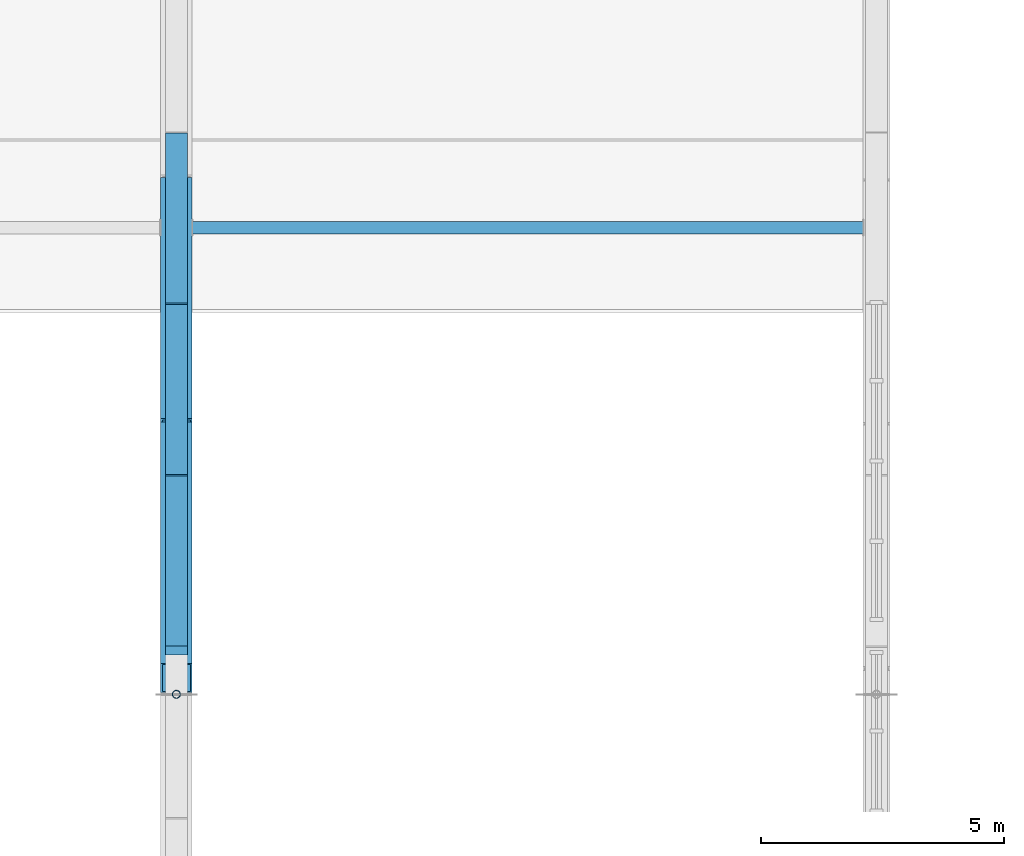
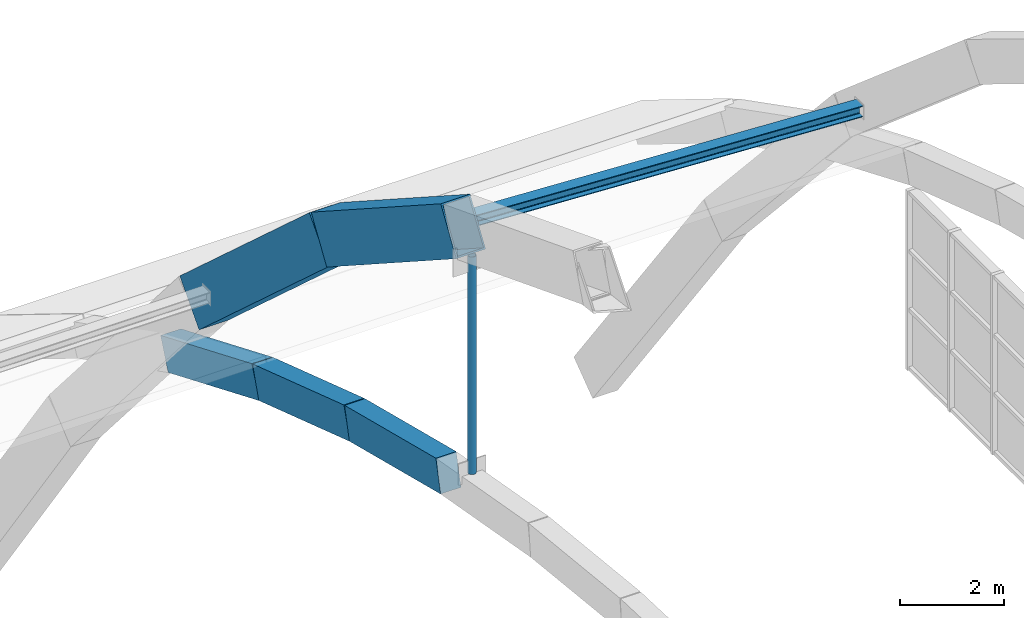
# One storey, part 27 of 64: 4 members, 3 beams.
"""IFC4 building model written with IfcOpenShell, lengths in metres."""

from ifc_helpers import new_model, si_unit, direction, frame, origin, origin_2d, place, context, subcontext, project, spatial, rectangle, hollow_rectangle, hollow_circle, i_section, extrude, material, material_profile, profile_set, type_object, element, save


model = new_model("IFC4")

# Units and contexts
model_context = context("Model", 3, precision=1e-05, world=origin(), true_north=direction((0.0, 1.0)))
body_context = subcontext(model_context, "Body", "Model", "MODEL_VIEW")
ifc_project = project(units=[si_unit("LENGTHUNIT", "METRE"), si_unit("AREAUNIT", "SQUARE_METRE"), si_unit("VOLUMEUNIT", "CUBIC_METRE"), si_unit("PLANEANGLEUNIT", "RADIAN"), si_unit("MASSUNIT", "GRAM", prefix="KILO")], contexts=[model_context])

# Site, building, storey
site_placement = place(None, origin())
site = spatial("IfcSite", under=ifc_project, at=site_placement, CompositionType="ELEMENT")
building_placement = place(site_placement, origin())
building = spatial("IfcBuilding", under=site, at=building_placement, Name="Leyfeld Transit Interchange", CompositionType="ELEMENT")
storey_placement = place(building_placement, frame((0.0, 0.0, 9.60009765625)))
storey = spatial("IfcBuildingStorey", under=building, at=storey_placement, Name="L02", CompositionType="ELEMENT", Elevation=9.60009765625)

# Beams
ifc_material_1 = material(Name="Concrete C40/50", Category="concrete")
ifc_material_profile_1 = material_profile(ifc_material_1, rectangle(XDim=0.449951171875, YDim=0.75, at=origin_2d()), Name="RC 750x450 RIB")
ifc_profile_set_1 = profile_set([ifc_material_profile_1], Name="Concrete C40/50")
beam_type = type_object("IfcBeamType", Name="BM-RIB-750x450", PredefinedType="USERDEFINED", material=ifc_profile_set_1)
beam_1_placement = place(storey_placement, frame((86.39990234375, 42.89990234375, 6.3251953125), z_axis=(0.0, 0.969486598247, -0.245144316312), x_axis=(-1.0, 0.0, 0.0)))
element("IfcBeam", 1, at=beam_1_placement, inside=storey, type_object=beam_type, Name="Concourse Vault Rib A7 Seg 12", ObjectType="ARCH_RIB", PredefinedType="USERDEFINED", context=body_context, shape_type="SweptSolid", body=[
    extrude(rectangle(XDim=0.449951171875, YDim=0.75, at=origin_2d()), origin(), (0.0, 0.0, 1.0), 3.610107421875),
])
beam_2_placement = place(storey_placement, frame((86.39990234375, 46.39990234375, 5.440185546875), z_axis=(0.0, 0.949033570575, -0.315175002058), x_axis=(-1.0, 0.0, 0.0)))
element("IfcBeam", 2, at=beam_2_placement, inside=storey, type_object=beam_type, Name="Concourse Vault Rib A7 Seg 13", ObjectType="ARCH_RIB", PredefinedType="USERDEFINED", context=body_context, shape_type="SweptSolid", body=[
    extrude(rectangle(XDim=0.449951171875, YDim=0.75, at=origin_2d()), origin(), (0.0, 0.0, 1.0), 3.68798828125),
])
beam_3_placement = place(storey_placement, frame((86.39990234375, 49.89990234375, 4.27783203125), z_axis=(0.0, 0.922787193718, -0.385309998716), x_axis=(-1.0, 0.0, 0.0)))
element("IfcBeam", 3, at=beam_3_placement, inside=storey, type_object=beam_type, Name="Concourse Vault Rib A7 Seg 14", ObjectType="ARCH_RIB", PredefinedType="USERDEFINED", context=body_context, shape_type="SweptSolid", body=[
    extrude(rectangle(XDim=0.449951171875, YDim=0.75, at=origin_2d()), origin(), (0.0, 0.0, 1.0), 3.79296875),
])

# Members
ifc_material_2 = material(Name="Steel S355J2 - Ochre Arch", Category="steel")
ifc_material_profile_2 = material_profile(ifc_material_2, hollow_rectangle(XDim=0.64990234375, YDim=1.10009765625, WallThickness=0.035888671875, at=origin_2d()), Name="RHS 1100x650x36")
ifc_profile_set_2 = profile_set([ifc_material_profile_2], Name="Steel S355J2 - Ochre Arch")
member_type_1 = type_object("IfcMemberType", Name="MEM-ARCH-1100", PredefinedType="USERDEFINED", material=ifc_profile_set_2)
member_1_placement = place(storey_placement, frame((86.39990234375, 42.333251953125, 12.433349609375), z_axis=(0.0, 0.839979785282, -0.542617692596), x_axis=(-1.0, 0.0, 0.0)))
element("IfcMember", 4, at=member_1_placement, inside=storey, type_object=member_type_1, Name="Primary Steel Arch AR-06 Seg 9", ObjectType="ARCH_SEGMENT", PredefinedType="USERDEFINED", context=body_context, shape_type="SweptSolid", body=[
    extrude(hollow_rectangle(XDim=0.64990234375, YDim=1.10009765625, WallThickness=0.035888671875, at=origin_2d()), origin(), (0.0, 0.0, 1.0), 5.9130859375),
])
member_2_placement = place(storey_placement, frame((86.39990234375, 47.300048828125, 9.224853515625), z_axis=(0.0, 0.741673096265, -0.670761521166), x_axis=(-1.0, 0.0, 0.0)))
element("IfcMember", 5, at=member_2_placement, inside=storey, type_object=member_type_1, Name="Primary Steel Arch AR-06 Seg 10", ObjectType="ARCH_SEGMENT", PredefinedType="USERDEFINED", context=body_context, shape_type="SweptSolid", body=[
    extrude(hollow_rectangle(XDim=0.64990234375, YDim=1.10009765625, WallThickness=0.035888671875, at=origin_2d()), origin(), (0.0, 0.0, 1.0), 6.696533203125),
])
ifc_material_3 = material(Name="Steel S355J2", Category="steel")
ifc_material_profile_3 = material_profile(ifc_material_3, i_section(OverallWidth=0.260009765625, OverallDepth=0.260009765625, WebThickness=0.010009765625, FlangeThickness=0.017578125, FilletRadius=0.02392578125, at=origin_2d()), Name="HEB 260")
ifc_profile_set_3 = profile_set([ifc_material_profile_3], Name="Steel S355J2")
member_type_2 = type_object("IfcMemberType", Name="MEM-CHD-HEB260", PredefinedType="CHORD", material=ifc_profile_set_3)
member_3_placement = place(storey_placement, frame((86.72509765625, 51.60009765625, 5.336181640625), z_axis=(0.998723266652, 0.0, -0.050515706945), x_axis=(0.0, 1.0, 0.0)))
element("IfcMember", 6, at=member_3_placement, inside=storey, type_object=member_type_2, Name="Arch Longitudinal Tie Chord B7 T3", PredefinedType="CHORD", context=body_context, shape_type="SweptSolid", body=[
    extrude(i_section(OverallWidth=0.260009765625, OverallDepth=0.260009765625, WebThickness=0.010009765625, FlangeThickness=0.017578125, FilletRadius=0.02392578125, at=origin_2d()), origin(), (0.0, 0.0, 1.0), 13.8173828125),
])
ifc_material_profile_4 = material_profile(ifc_material_3, hollow_circle(Radius=0.084228515625, WallThickness=0.008056640625, at=origin_2d()), Name="CHS 168.3x8")
ifc_profile_set_4 = profile_set([ifc_material_profile_4], Name="Steel S355J2")
member_type_3 = type_object("IfcMemberType", Name="MEM-HGR-168", PredefinedType="USERDEFINED", material=ifc_profile_set_4)
member_4_placement = place(storey_placement, frame((86.39990234375, 42.0, 6.885009765625), z_axis=(0.0, 0.0, 1.0), x_axis=(1.0, 0.0, 0.0)))
element("IfcMember", 7, at=member_4_placement, inside=storey, type_object=member_type_3, Name="Arch Tension Hanger AR-06 H5", ObjectType="SUSPENDER", PredefinedType="USERDEFINED", context=body_context, shape_type="SweptSolid", body=[
    extrude(hollow_circle(Radius=0.084228515625, WallThickness=0.008056640625, at=origin_2d()), origin(), (0.0, 0.0, 1.0), 5.087646484375),
])

save(model, "model.ifc")
